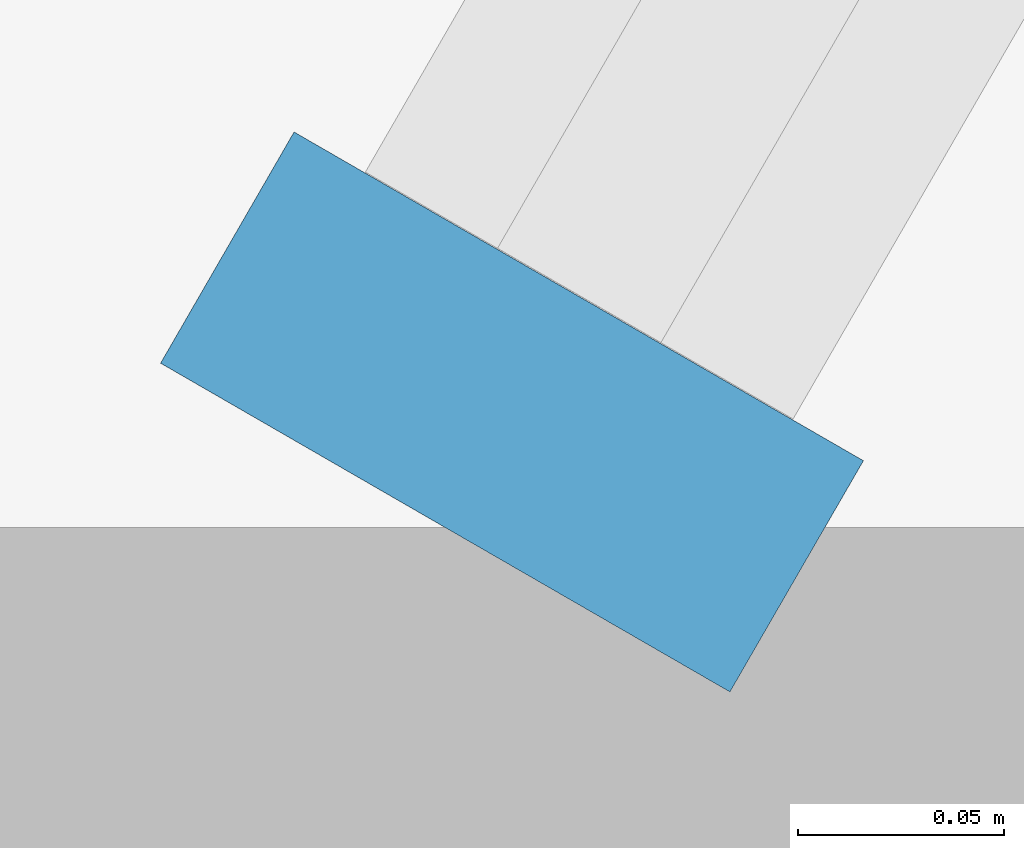
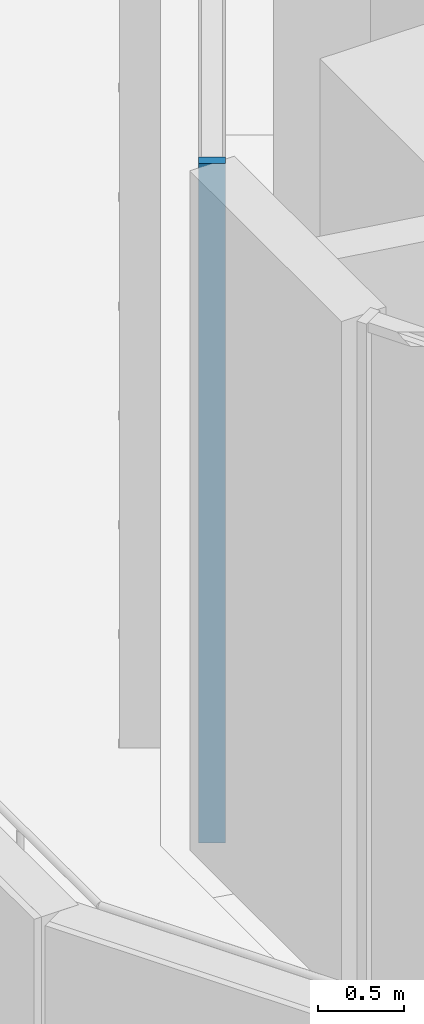
# One storey, part 130 of 228: 1 member, 1 element without a shape of its own.
"""IFC4 building model written with IfcOpenShell, lengths in metres."""

from ifc_helpers import new_model, si_unit, direction, frame, origin, origin_2d, place, context, subcontext, project, spatial, rectangle, extrude, material, material_profile, profile_set, type_object, element, aggregate, save


model = new_model("IFC4")

# Units and contexts
model_context = context("Model", 3, precision=1e-05, world=origin(), true_north=direction((0.0, 1.0)))
body_context = subcontext(model_context, "Body", "Model", "MODEL_VIEW")
ifc_project = project(units=[si_unit("LENGTHUNIT", "METRE"), si_unit("AREAUNIT", "SQUARE_METRE"), si_unit("VOLUMEUNIT", "CUBIC_METRE"), si_unit("PLANEANGLEUNIT", "RADIAN"), si_unit("MASSUNIT", "GRAM", prefix="KILO")], contexts=[model_context])

# Site, building, storey
site_placement = place(None, origin())
site = spatial("IfcSite", under=ifc_project, at=site_placement, CompositionType="ELEMENT")
building_placement = place(site_placement, origin())
building = spatial("IfcBuilding", under=site, at=building_placement, Name="Sandreach Pilgrim Tower", CompositionType="ELEMENT")
storey_placement = place(building_placement, frame((0.0, 0.0, 178.199951171875)))
storey = spatial("IfcBuildingStorey", under=building, at=storey_placement, Name="L44", CompositionType="ELEMENT", Elevation=178.199951171875)

# Curtain wall, member
ifc_material_1 = material(Name="Aluminium framed curtain wall", Category="aluminium")
curtain_wall_type = type_object("IfcCurtainWallType", Name="Upper hotel tower curtain wall", PredefinedType="NOTDEFINED", material=ifc_material_1)
curtain_wall_placement = place(storey_placement, origin())
curtain_wall = element("IfcCurtainWall", 1, at=curtain_wall_placement, inside=storey, type_object=curtain_wall_type, Name="CW-3 L44 NW", PredefinedType="NOTDEFINED")
ifc_material_2 = material(Name="Aluminium extrusion", Category="aluminium")
ifc_material_profile = material_profile(ifc_material_2, rectangle(XDim=0.06494140625, YDim=0.159912109375, at=origin_2d()), Name="CW-3M 65X160")
ifc_profile_set = profile_set([ifc_material_profile], Name="Aluminium extrusion")
member_type = type_object("IfcMemberType", Name="CW-3 mullion", PredefinedType="MULLION", material=ifc_profile_set)
member_placement = place(storey_placement, frame((-27.00390625, 6.278076171875, 0.0), z_axis=(0.0, 0.0, 1.0), x_axis=(0.5, 0.866025403784, 0.0)))
member = element("IfcMember", 2, at=member_placement, type_object=member_type, Name="CW-3 mullion 1", PredefinedType="MULLION", context=body_context, shape_type="SweptSolid", body=[
    extrude(rectangle(XDim=0.06494140625, YDim=0.159912109375, at=origin_2d()), origin(), (0.0, 0.0, 1.0), 4.840087890625),
])
aggregate(curtain_wall, [member])

save(model, "model.ifc")
